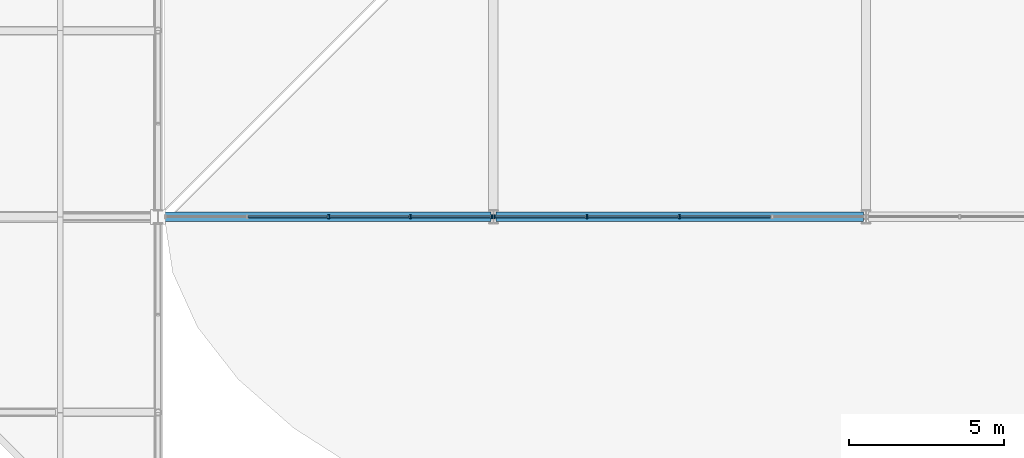
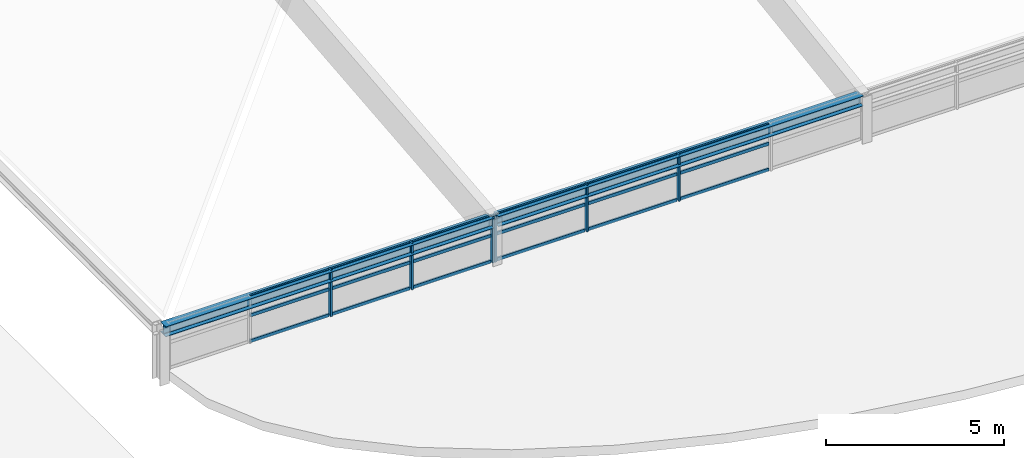
# One storey, part 33 of 80: 24 members, 2 beams, 2 elements without a shape of their own.
"""IFC4 building model written with IfcOpenShell, lengths in metres."""

from ifc_helpers import new_model, si_unit, direction, frame, origin, origin_2d, place, context, subcontext, project, spatial, rectangle, i_section, extrude, material, material_profile, profile_set, type_object, element, aggregate, save


model = new_model("IFC4")

# Units and contexts
model_context = context("Model", 3, precision=1e-05, world=origin(), true_north=direction((0.0, 1.0)))
body_context = subcontext(model_context, "Body", "Model", "MODEL_VIEW")
ifc_project = project(units=[si_unit("LENGTHUNIT", "METRE"), si_unit("AREAUNIT", "SQUARE_METRE"), si_unit("VOLUMEUNIT", "CUBIC_METRE"), si_unit("PLANEANGLEUNIT", "RADIAN"), si_unit("MASSUNIT", "GRAM", prefix="KILO"), si_unit("THERMODYNAMICTEMPERATUREUNIT", "KELVIN"), si_unit("POWERUNIT", "WATT")], contexts=[model_context])

# Site, building, storey
site_placement = place(None, origin())
site = spatial("IfcSite", under=ifc_project, at=site_placement, CompositionType="ELEMENT")
building_placement = place(site_placement, origin())
building = spatial("IfcBuilding", under=site, at=building_placement, Name="Solmara Park Aquatics Centre", CompositionType="ELEMENT")
storey_placement = place(building_placement, frame((0.0, 0.0, 22.800048828125)))
storey = spatial("IfcBuildingStorey", under=building, at=storey_placement, Name="RF", CompositionType="ELEMENT", Elevation=22.800048828125)

# Curtain wall, members
ifc_material_1 = material(Name="Anodised Aluminium Curtain Wall Framing", Category="aluminium")
curtain_wall_type = type_object("IfcCurtainWallType", Name="ARC-CW-SYS06", PredefinedType="USERDEFINED", material=ifc_material_1)
curtain_wall_1_placement = place(storey_placement, origin())
curtain_wall_1 = element("IfcCurtainWall", 1, at=curtain_wall_1_placement, inside=storey, type_object=curtain_wall_type, Name="Curtain Wall CW-083", ObjectType="CURTAIN WALL", PredefinedType="USERDEFINED")
ifc_material_2 = material(Name="Anodised Aluminium Alloy 6063-T6", Category="aluminium")
ifc_material_profile_1 = material_profile(ifc_material_2, rectangle(XDim=0.054931640625, YDim=0.139892578125, at=origin_2d()), Name="ALU MULLION 55x140")
ifc_profile_set_1 = profile_set([ifc_material_profile_1], Name="Anodised Aluminium Alloy 6063-T6")
member_type_1 = type_object("IfcMemberType", Name="ARC-CWM-55x140", PredefinedType="MULLION", material=ifc_profile_set_1)
member_1_placement = place(storey_placement, frame((114.699951171875, 12.60009765625, -8.080078125), z_axis=(0.0, 0.0, 1.0), x_axis=(1.0, 0.0, 0.0)))
member_1 = element("IfcMember", 2, at=member_1_placement, type_object=member_type_1, Name="CW-083 mullion 3", PredefinedType="MULLION", context=body_context, shape_type="SweptSolid", body=[
    extrude(rectangle(XDim=0.054931640625, YDim=0.139892578125, at=origin_2d()), origin(), (0.0, 0.0, 1.0), 1.60009765625),
])
member_2_placement = place(storey_placement, frame((117.330078125, 12.60009765625, -8.080078125), z_axis=(0.0, 0.0, 1.0), x_axis=(1.0, 0.0, 0.0)))
member_2 = element("IfcMember", 3, at=member_2_placement, type_object=member_type_1, Name="CW-083 mullion 4", PredefinedType="MULLION", context=body_context, shape_type="SweptSolid", body=[
    extrude(rectangle(XDim=0.054931640625, YDim=0.139892578125, at=origin_2d()), origin(), (0.0, 0.0, 1.0), 1.60009765625),
])
member_3_placement = place(storey_placement, frame((119.9599609375, 12.60009765625, -8.080078125), z_axis=(0.0, 0.0, 1.0), x_axis=(1.0, 0.0, 0.0)))
member_3 = element("IfcMember", 4, at=member_3_placement, type_object=member_type_1, Name="CW-083 mullion 5", PredefinedType="MULLION", context=body_context, shape_type="SweptSolid", body=[
    extrude(rectangle(XDim=0.054931640625, YDim=0.139892578125, at=origin_2d()), origin(), (0.0, 0.0, 1.0), 1.60009765625),
])

curtain_wall_2_placement = place(storey_placement, origin())
curtain_wall_2 = element("IfcCurtainWall", 5, at=curtain_wall_2_placement, inside=storey, type_object=curtain_wall_type, Name="Curtain Wall CW-085", ObjectType="CURTAIN WALL", PredefinedType="USERDEFINED")
member_4_placement = place(storey_placement, frame((120.0400390625, 12.60009765625, -8.080078125), z_axis=(0.0, 0.0, 1.0), x_axis=(1.0, 0.0, 0.0)))
member_4 = element("IfcMember", 6, at=member_4_placement, type_object=member_type_1, Name="CW-085 mullion 1", PredefinedType="MULLION", context=body_context, shape_type="SweptSolid", body=[
    extrude(rectangle(XDim=0.054931640625, YDim=0.139892578125, at=origin_2d()), origin(), (0.0, 0.0, 1.0), 1.60009765625),
])
member_5_placement = place(storey_placement, frame((123.02001953125, 12.60009765625, -8.080078125), z_axis=(0.0, 0.0, 1.0), x_axis=(1.0, 0.0, 0.0)))
member_5 = element("IfcMember", 7, at=member_5_placement, type_object=member_type_1, Name="CW-085 mullion 2", PredefinedType="MULLION", context=body_context, shape_type="SweptSolid", body=[
    extrude(rectangle(XDim=0.054931640625, YDim=0.139892578125, at=origin_2d()), origin(), (0.0, 0.0, 1.0), 1.60009765625),
])
member_6_placement = place(storey_placement, frame((126.0, 12.60009765625, -8.080078125), z_axis=(0.0, 0.0, 1.0), x_axis=(1.0, 0.0, 0.0)))
member_6 = element("IfcMember", 8, at=member_6_placement, type_object=member_type_1, Name="CW-085 mullion 3", PredefinedType="MULLION", context=body_context, shape_type="SweptSolid", body=[
    extrude(rectangle(XDim=0.054931640625, YDim=0.139892578125, at=origin_2d()), origin(), (0.0, 0.0, 1.0), 1.60009765625),
])

# Member
ifc_material_profile_2 = material_profile(ifc_material_2, rectangle(XDim=0.054931640625, YDim=0.110107421875, at=origin_2d()), Name="ALU TRANSOM 55x110")
ifc_profile_set_2 = profile_set([ifc_material_profile_2], Name="Anodised Aluminium Alloy 6063-T6")
member_type_2 = type_object("IfcMemberType", Name="ARC-CWT-55x110", PredefinedType="USERDEFINED", material=ifc_profile_set_2)
member_7_placement = place(storey_placement, frame((112.090087890625, 12.60009765625, -8.0400390625), z_axis=(1.0, 0.0, 0.0), x_axis=(0.0, 1.0, 0.0)))
member_7 = element("IfcMember", 9, at=member_7_placement, type_object=member_type_2, Name="CW-083 transom 4", ObjectType="TRANSOM", PredefinedType="USERDEFINED", context=body_context, shape_type="SweptSolid", body=[
    extrude(rectangle(XDim=0.054931640625, YDim=0.110107421875, at=origin_2d()), origin(), (0.0, 0.0, 1.0), 2.5498046875),
])

member_8_placement = place(storey_placement, frame((112.090087890625, 12.60009765625, -7.152099609375), z_axis=(1.0, 0.0, 0.0), x_axis=(0.0, 1.0, 0.0)))
member_8 = element("IfcMember", 10, at=member_8_placement, type_object=member_type_2, Name="CW-083 transom 5", ObjectType="TRANSOM", PredefinedType="USERDEFINED", context=body_context, shape_type="SweptSolid", body=[
    extrude(rectangle(XDim=0.054931640625, YDim=0.110107421875, at=origin_2d()), origin(), (0.0, 0.0, 1.0), 2.5498046875),
])

member_9_placement = place(storey_placement, frame((112.090087890625, 12.60009765625, -6.52001953125), z_axis=(1.0, 0.0, 0.0), x_axis=(0.0, 1.0, 0.0)))
member_9 = element("IfcMember", 11, at=member_9_placement, type_object=member_type_2, Name="CW-083 transom 6", ObjectType="TRANSOM", PredefinedType="USERDEFINED", context=body_context, shape_type="SweptSolid", body=[
    extrude(rectangle(XDim=0.054931640625, YDim=0.110107421875, at=origin_2d()), origin(), (0.0, 0.0, 1.0), 2.5498046875),
])

member_10_placement = place(storey_placement, frame((114.719970703125, 12.60009765625, -8.0400390625), z_axis=(1.0, 0.0, 0.0), x_axis=(0.0, 1.0, 0.0)))
member_10 = element("IfcMember", 12, at=member_10_placement, type_object=member_type_2, Name="CW-083 transom 7", ObjectType="TRANSOM", PredefinedType="USERDEFINED", context=body_context, shape_type="SweptSolid", body=[
    extrude(rectangle(XDim=0.054931640625, YDim=0.110107421875, at=origin_2d()), origin(), (0.0, 0.0, 1.0), 2.550048828125),
])

member_11_placement = place(storey_placement, frame((114.719970703125, 12.60009765625, -7.152099609375), z_axis=(1.0, 0.0, 0.0), x_axis=(0.0, 1.0, 0.0)))
member_11 = element("IfcMember", 13, at=member_11_placement, type_object=member_type_2, Name="CW-083 transom 8", ObjectType="TRANSOM", PredefinedType="USERDEFINED", context=body_context, shape_type="SweptSolid", body=[
    extrude(rectangle(XDim=0.054931640625, YDim=0.110107421875, at=origin_2d()), origin(), (0.0, 0.0, 1.0), 2.550048828125),
])

member_12_placement = place(storey_placement, frame((114.719970703125, 12.60009765625, -6.52001953125), z_axis=(1.0, 0.0, 0.0), x_axis=(0.0, 1.0, 0.0)))
member_12 = element("IfcMember", 14, at=member_12_placement, type_object=member_type_2, Name="CW-083 transom 9", ObjectType="TRANSOM", PredefinedType="USERDEFINED", context=body_context, shape_type="SweptSolid", body=[
    extrude(rectangle(XDim=0.054931640625, YDim=0.110107421875, at=origin_2d()), origin(), (0.0, 0.0, 1.0), 2.550048828125),
])

member_13_placement = place(storey_placement, frame((117.35009765625, 12.60009765625, -8.0400390625), z_axis=(1.0, 0.0, 0.0), x_axis=(0.0, 1.0, 0.0)))
member_13 = element("IfcMember", 15, at=member_13_placement, type_object=member_type_2, Name="CW-083 transom 10", ObjectType="TRANSOM", PredefinedType="USERDEFINED", context=body_context, shape_type="SweptSolid", body=[
    extrude(rectangle(XDim=0.054931640625, YDim=0.110107421875, at=origin_2d()), origin(), (0.0, 0.0, 1.0), 2.5498046875),
])

member_14_placement = place(storey_placement, frame((117.35009765625, 12.60009765625, -7.152099609375), z_axis=(1.0, 0.0, 0.0), x_axis=(0.0, 1.0, 0.0)))
member_14 = element("IfcMember", 16, at=member_14_placement, type_object=member_type_2, Name="CW-083 transom 11", ObjectType="TRANSOM", PredefinedType="USERDEFINED", context=body_context, shape_type="SweptSolid", body=[
    extrude(rectangle(XDim=0.054931640625, YDim=0.110107421875, at=origin_2d()), origin(), (0.0, 0.0, 1.0), 2.5498046875),
])

member_15_placement = place(storey_placement, frame((117.35009765625, 12.60009765625, -6.52001953125), z_axis=(1.0, 0.0, 0.0), x_axis=(0.0, 1.0, 0.0)))
member_15 = element("IfcMember", 17, at=member_15_placement, type_object=member_type_2, Name="CW-083 transom 12", ObjectType="TRANSOM", PredefinedType="USERDEFINED", context=body_context, shape_type="SweptSolid", body=[
    extrude(rectangle(XDim=0.054931640625, YDim=0.110107421875, at=origin_2d()), origin(), (0.0, 0.0, 1.0), 2.5498046875),
])

aggregate(curtain_wall_1, [member_1, member_2, member_3, member_7, member_8, member_9, member_10, member_11, member_12, member_13, member_14, member_15])

member_16_placement = place(storey_placement, frame((120.06005859375, 12.60009765625, -8.0400390625), z_axis=(1.0, 0.0, 0.0), x_axis=(0.0, 1.0, 0.0)))
member_16 = element("IfcMember", 18, at=member_16_placement, type_object=member_type_2, Name="CW-085 transom 1", ObjectType="TRANSOM", PredefinedType="USERDEFINED", context=body_context, shape_type="SweptSolid", body=[
    extrude(rectangle(XDim=0.054931640625, YDim=0.110107421875, at=origin_2d()), origin(), (0.0, 0.0, 1.0), 2.89990234375),
])

member_17_placement = place(storey_placement, frame((120.06005859375, 12.60009765625, -7.152099609375), z_axis=(1.0, 0.0, 0.0), x_axis=(0.0, 1.0, 0.0)))
member_17 = element("IfcMember", 19, at=member_17_placement, type_object=member_type_2, Name="CW-085 transom 2", ObjectType="TRANSOM", PredefinedType="USERDEFINED", context=body_context, shape_type="SweptSolid", body=[
    extrude(rectangle(XDim=0.054931640625, YDim=0.110107421875, at=origin_2d()), origin(), (0.0, 0.0, 1.0), 2.89990234375),
])

member_18_placement = place(storey_placement, frame((120.06005859375, 12.60009765625, -6.52001953125), z_axis=(1.0, 0.0, 0.0), x_axis=(0.0, 1.0, 0.0)))
member_18 = element("IfcMember", 20, at=member_18_placement, type_object=member_type_2, Name="CW-085 transom 3", ObjectType="TRANSOM", PredefinedType="USERDEFINED", context=body_context, shape_type="SweptSolid", body=[
    extrude(rectangle(XDim=0.054931640625, YDim=0.110107421875, at=origin_2d()), origin(), (0.0, 0.0, 1.0), 2.89990234375),
])

member_19_placement = place(storey_placement, frame((123.0400390625, 12.60009765625, -8.0400390625), z_axis=(1.0, 0.0, 0.0), x_axis=(0.0, 1.0, 0.0)))
member_19 = element("IfcMember", 21, at=member_19_placement, type_object=member_type_2, Name="CW-085 transom 4", ObjectType="TRANSOM", PredefinedType="USERDEFINED", context=body_context, shape_type="SweptSolid", body=[
    extrude(rectangle(XDim=0.054931640625, YDim=0.110107421875, at=origin_2d()), origin(), (0.0, 0.0, 1.0), 2.89990234375),
])

member_20_placement = place(storey_placement, frame((123.0400390625, 12.60009765625, -7.152099609375), z_axis=(1.0, 0.0, 0.0), x_axis=(0.0, 1.0, 0.0)))
member_20 = element("IfcMember", 22, at=member_20_placement, type_object=member_type_2, Name="CW-085 transom 5", ObjectType="TRANSOM", PredefinedType="USERDEFINED", context=body_context, shape_type="SweptSolid", body=[
    extrude(rectangle(XDim=0.054931640625, YDim=0.110107421875, at=origin_2d()), origin(), (0.0, 0.0, 1.0), 2.89990234375),
])

member_21_placement = place(storey_placement, frame((123.0400390625, 12.60009765625, -6.52001953125), z_axis=(1.0, 0.0, 0.0), x_axis=(0.0, 1.0, 0.0)))
member_21 = element("IfcMember", 23, at=member_21_placement, type_object=member_type_2, Name="CW-085 transom 6", ObjectType="TRANSOM", PredefinedType="USERDEFINED", context=body_context, shape_type="SweptSolid", body=[
    extrude(rectangle(XDim=0.054931640625, YDim=0.110107421875, at=origin_2d()), origin(), (0.0, 0.0, 1.0), 2.89990234375),
])

member_22_placement = place(storey_placement, frame((126.02001953125, 12.60009765625, -8.0400390625), z_axis=(1.0, 0.0, 0.0), x_axis=(0.0, 1.0, 0.0)))
member_22 = element("IfcMember", 24, at=member_22_placement, type_object=member_type_2, Name="CW-085 transom 7", ObjectType="TRANSOM", PredefinedType="USERDEFINED", context=body_context, shape_type="SweptSolid", body=[
    extrude(rectangle(XDim=0.054931640625, YDim=0.110107421875, at=origin_2d()), origin(), (0.0, 0.0, 1.0), 2.89990234375),
])

member_23_placement = place(storey_placement, frame((126.02001953125, 12.60009765625, -7.152099609375), z_axis=(1.0, 0.0, 0.0), x_axis=(0.0, 1.0, 0.0)))
member_23 = element("IfcMember", 25, at=member_23_placement, type_object=member_type_2, Name="CW-085 transom 8", ObjectType="TRANSOM", PredefinedType="USERDEFINED", context=body_context, shape_type="SweptSolid", body=[
    extrude(rectangle(XDim=0.054931640625, YDim=0.110107421875, at=origin_2d()), origin(), (0.0, 0.0, 1.0), 2.89990234375),
])

member_24_placement = place(storey_placement, frame((126.02001953125, 12.60009765625, -6.52001953125), z_axis=(1.0, 0.0, 0.0), x_axis=(0.0, 1.0, 0.0)))
member_24 = element("IfcMember", 26, at=member_24_placement, type_object=member_type_2, Name="CW-085 transom 9", ObjectType="TRANSOM", PredefinedType="USERDEFINED", context=body_context, shape_type="SweptSolid", body=[
    extrude(rectangle(XDim=0.054931640625, YDim=0.110107421875, at=origin_2d()), origin(), (0.0, 0.0, 1.0), 2.89990234375),
])

aggregate(curtain_wall_2, [member_4, member_5, member_6, member_16, member_17, member_18, member_19, member_20, member_21, member_22, member_23, member_24])

# Beams
ifc_material_3 = material(Name="Structural Steel S355", Category="steel")
ifc_material_profile_3 = material_profile(ifc_material_3, i_section(OverallWidth=0.300048828125, OverallDepth=0.35009765625, WebThickness=0.010009765625, FlangeThickness=0.017578125, FilletRadius=0.027099609375, at=origin_2d()), Name="HEA 360")
ifc_profile_set_3 = profile_set([ifc_material_profile_3], Name="Structural Steel S355")
beam_type = type_object("IfcBeamType", Name="STR-BM-HEA360", PredefinedType="BEAM", material=ifc_profile_set_3)
beam_1_placement = place(storey_placement, frame((109.280029296875, 12.60009765625, -6.66015625), z_axis=(1.0, 0.0, 0.0), x_axis=(0.0, 1.0, 0.0)))
element("IfcBeam", 27, at=beam_1_placement, inside=storey, type_object=beam_type, Name="Diving Clerestory Ring Beam 109-12", PredefinedType="BEAM", context=body_context, shape_type="SweptSolid", body=[
    extrude(i_section(OverallWidth=0.300048828125, OverallDepth=0.35009765625, WebThickness=0.010009765625, FlangeThickness=0.017578125, FilletRadius=0.027099609375, at=origin_2d()), origin(), (0.0, 0.0, 1.0), 10.639892578125),
])
beam_2_placement = place(storey_placement, frame((120.080078125, 12.60009765625, -6.66015625), z_axis=(1.0, 0.0, 0.0), x_axis=(0.0, 1.0, 0.0)))
element("IfcBeam", 28, at=beam_2_placement, inside=storey, type_object=beam_type, Name="Diving Clerestory Ring Beam 120-12", PredefinedType="BEAM", context=body_context, shape_type="SweptSolid", body=[
    extrude(i_section(OverallWidth=0.300048828125, OverallDepth=0.35009765625, WebThickness=0.010009765625, FlangeThickness=0.017578125, FilletRadius=0.027099609375, at=origin_2d()), origin(), (0.0, 0.0, 1.0), 11.83984375),
])

save(model, "model.ifc")
